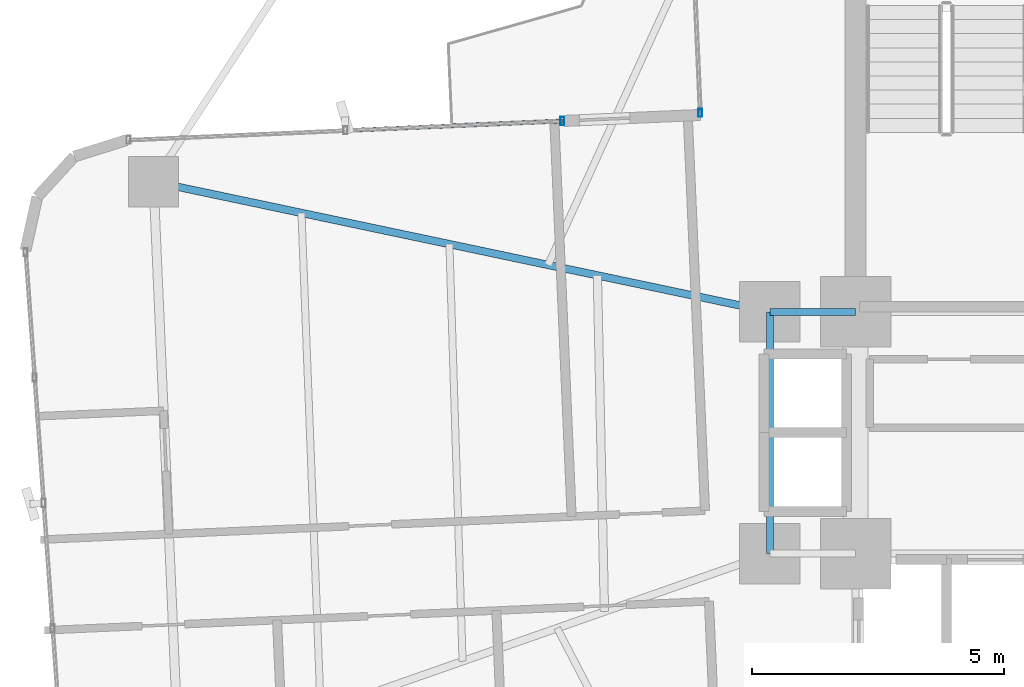
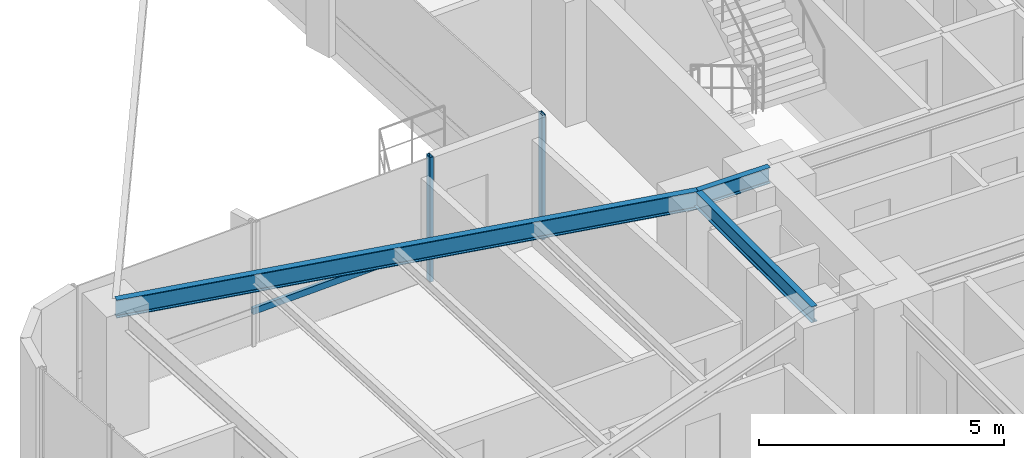
# One storey, part 10 of 26: 3 beams, 3 members, 2 elements without a shape of their own.
"""IFC4 building model written with IfcOpenShell, lengths in metres."""

from ifc_helpers import new_model, si_unit, direction, frame, origin, origin_2d, place, context, subcontext, project, spatial, hollow_rectangle, i_section, extrude, source, transform, mapped, material, material_profile, profile_set, type_object, element, aggregate, save


model = new_model("IFC4")

# Units and contexts
model_context = context("Model", 3, precision=1e-05, world=origin(), true_north=direction((0.0, 1.0)))
body_context = subcontext(model_context, "Body", "Model", "MODEL_VIEW")
ifc_project = project(units=[si_unit("LENGTHUNIT", "METRE"), si_unit("AREAUNIT", "SQUARE_METRE"), si_unit("VOLUMEUNIT", "CUBIC_METRE"), si_unit("PLANEANGLEUNIT", "RADIAN"), si_unit("MASSUNIT", "GRAM", prefix="KILO")], contexts=[model_context])

# Site, building, storey
site_placement = place(None, origin())
site = spatial("IfcSite", under=ifc_project, at=site_placement, CompositionType="ELEMENT")
building_placement = place(site_placement, origin())
building = spatial("IfcBuilding", under=site, at=building_placement, Name="Sahyath Konkavel Grand Hotel", CompositionType="ELEMENT")
storey_placement = place(building_placement, frame((0.0, 0.0, 114.800048828125)))
storey = spatial("IfcBuildingStorey", under=building, at=storey_placement, Name="L31", CompositionType="ELEMENT", Elevation=114.800048828125)

# Beams
ifc_material_1 = material(Name="Steel E350", Category="steel")
ifc_material_profile_1 = material_profile(ifc_material_1, i_section(OverallWidth=0.139892578125, OverallDepth=0.39990234375, WebThickness=0.0087890625, FlangeThickness=0.01611328125, FilletRadius=0.013916015625, at=origin_2d()), Name="ISMB 400")
ifc_profile_set_1 = profile_set([ifc_material_profile_1], Name="Steel E350")
beam_type_1 = type_object("IfcBeamType", Name="BM-ISMB400", PredefinedType="BEAM", material=ifc_profile_set_1)
shared_shape_1 = source(origin(), body_context, "Body", "SweptSolid", [
    extrude(i_section(OverallWidth=0.139892578125, OverallDepth=0.39990234375, WebThickness=0.0087890625, FlangeThickness=0.01611328125, FilletRadius=0.013916015625, at=origin_2d()), origin(), (0.0, 0.0, 1.0), 1.699951171875),
])
beam_1_placement = place(storey_placement, frame((-5.5, 2.39990234375, 2.909912109375), z_axis=(1.0, 0.0, 0.0), x_axis=(0.0, 1.0, 0.0)))
element("IfcBeam", 1, at=beam_1_placement, inside=storey, type_object=beam_type_1, Name="str:bm:L31:HB-NW", PredefinedType="BEAM", context=body_context, shape_type="MappedRepresentation", body=[
    mapped(shared_shape_1, transform((0.0, 0.0, 0.0), scale=1.0)),
])
shared_shape_2 = source(origin(), body_context, "Body", "SweptSolid", [
    extrude(i_section(OverallWidth=0.139892578125, OverallDepth=0.39990234375, WebThickness=0.0087890625, FlangeThickness=0.01611328125, FilletRadius=0.013916015625, at=origin_2d()), origin(), (0.0, 0.0, 1.0), 4.7998046875),
])
beam_2_placement = place(storey_placement, frame((-5.5, -2.39990234375, 2.909912109375), z_axis=(0.0, 1.0, 0.0), x_axis=(-1.0, 0.0, 0.0)))
element("IfcBeam", 2, at=beam_2_placement, inside=storey, type_object=beam_type_1, Name="str:bm:L31:HB-W", PredefinedType="BEAM", context=body_context, shape_type="MappedRepresentation", body=[
    mapped(shared_shape_2, transform((0.0, 0.0, 0.0), scale=1.0)),
])
ifc_material_profile_2 = material_profile(ifc_material_1, i_section(OverallWidth=0.14990234375, OverallDepth=0.449951171875, WebThickness=0.009521484375, FlangeThickness=0.017333984375, FilletRadius=0.014892578125, at=origin_2d()), Name="ISMB 450")
ifc_profile_set_2 = profile_set([ifc_material_profile_2], Name="Steel E350")
beam_type_2 = type_object("IfcBeamType", Name="BM-ISMB450", PredefinedType="BEAM", material=ifc_profile_set_2)
shared_shape_3 = source(origin(), body_context, "Body", "SweptSolid", [
    extrude(i_section(OverallWidth=0.14990234375, OverallDepth=0.449951171875, WebThickness=0.009521484375, FlangeThickness=0.017333984375, FilletRadius=0.014892578125, at=origin_2d()), origin(), (0.0, 0.0, 1.0), 12.50341796875),
])
beam_3_placement = place(storey_placement, frame((-5.5, 2.39990234375, 2.885009765625), z_axis=(-0.978457911392, 0.206446398937, 0.0), x_axis=(-0.206446398937, -0.978457911392, 0.0)))
element("IfcBeam", 3, at=beam_3_placement, inside=storey, type_object=beam_type_2, Name="L31 Cruciform Radial Girder WA", PredefinedType="BEAM", context=body_context, shape_type="MappedRepresentation", body=[
    mapped(shared_shape_3, transform((0.0, 0.0, 0.0), scale=1.0)),
])

# Curtain wall, member
ifc_material_2 = material(Name="Anodised Bronze Aluminium & Low-E Glazing", Category="aluminium")
curtain_wall_type = type_object("IfcCurtainWallType", Name="CW-ZONE2", PredefinedType="NOTDEFINED", material=ifc_material_2)
curtain_wall_1_placement = place(storey_placement, origin())
curtain_wall_1 = element("IfcCurtainWall", 4, at=curtain_wall_1_placement, inside=storey, type_object=curtain_wall_type, Name="L31 Unitised Curtain Wall F15", PredefinedType="NOTDEFINED")
ifc_material_3 = material(Name="Anodised Bronze Aluminium", Category="aluminium")
ifc_material_profile_3 = material_profile(ifc_material_3, hollow_rectangle(XDim=0.080078125, YDim=0.159912109375, WallThickness=0.006103515625, at=origin_2d()), Name="RHS 160x80x6")
ifc_profile_set_3 = profile_set([ifc_material_profile_3], Name="Anodised Bronze Aluminium")
member_type_1 = type_object("IfcMemberType", Name="CW-MUL-160", PredefinedType="MULLION", material=ifc_profile_set_3)
shared_shape_4 = source(origin(), body_context, "Body", "SweptSolid", [
    extrude(hollow_rectangle(XDim=0.080078125, YDim=0.159912109375, WallThickness=0.006103515625, at=origin_2d()), origin(), (0.0, 0.0, 1.0), 3.10986328125),
])
member_1_placement = place(storey_placement, frame((-6.88330078125, 6.345703125, 0.0), z_axis=(0.0, 0.0, 1.0), x_axis=(1.0, 0.0, 0.0)))
member_1 = element("IfcMember", 5, at=member_1_placement, type_object=member_type_1, Name="L31 Curtain Wall Mullion F15-2", PredefinedType="MULLION", context=body_context, shape_type="MappedRepresentation", body=[
    mapped(shared_shape_4, transform((0.0, 0.0, 0.0), scale=1.0)),
])
aggregate(curtain_wall_1, [member_1])

# Curtain wall, members
curtain_wall_2_placement = place(storey_placement, origin())
curtain_wall_2 = element("IfcCurtainWall", 6, at=curtain_wall_2_placement, inside=storey, type_object=curtain_wall_type, Name="L31 Unitised Curtain Wall F16", PredefinedType="NOTDEFINED")
member_2_placement = place(storey_placement, frame((-9.618896484375, 6.186279296875, 0.0), z_axis=(0.0, 0.0, 1.0), x_axis=(1.0, 0.0, 0.0)))
member_2 = element("IfcMember", 7, at=member_2_placement, type_object=member_type_1, Name="L31 Curtain Wall Mullion F16-0", PredefinedType="MULLION", context=body_context, shape_type="MappedRepresentation", body=[
    mapped(shared_shape_4, transform((0.0, 0.0, 0.0), scale=1.0)),
])
ifc_material_profile_4 = material_profile(ifc_material_3, hollow_rectangle(XDim=0.080078125, YDim=0.159912109375, WallThickness=0.006103515625, at=origin_2d()), Name="RHS 160x80x6")
ifc_profile_set_4 = profile_set([ifc_material_profile_4], Name="Anodised Bronze Aluminium")
member_type_2 = type_object("IfcMemberType", Name="CW-TRN-160", PredefinedType="USERDEFINED", material=ifc_profile_set_4)
shared_shape_5 = source(origin(), body_context, "Body", "SweptSolid", [
    extrude(hollow_rectangle(XDim=0.080078125, YDim=0.159912109375, WallThickness=0.006103515625, at=origin_2d()), origin(), (0.0, 0.0, 1.0), 4.31005859375),
])
member_3_placement = place(storey_placement, frame((-9.618896484375, 6.186279296875, 0.849853515625), z_axis=(-0.999048340188, -0.043616670746, 0.0), x_axis=(0.043616670746, -0.999048340188, 0.0)))
member_3 = element("IfcMember", 8, at=member_3_placement, type_object=member_type_2, Name="L31 Curtain Wall Transom F16-0-spandrel", ObjectType="TRANSOM", PredefinedType="USERDEFINED", context=body_context, shape_type="MappedRepresentation", body=[
    mapped(shared_shape_5, transform((0.0, 0.0, 0.0), scale=1.0)),
])
aggregate(curtain_wall_2, [member_2, member_3])

save(model, "model.ifc")
